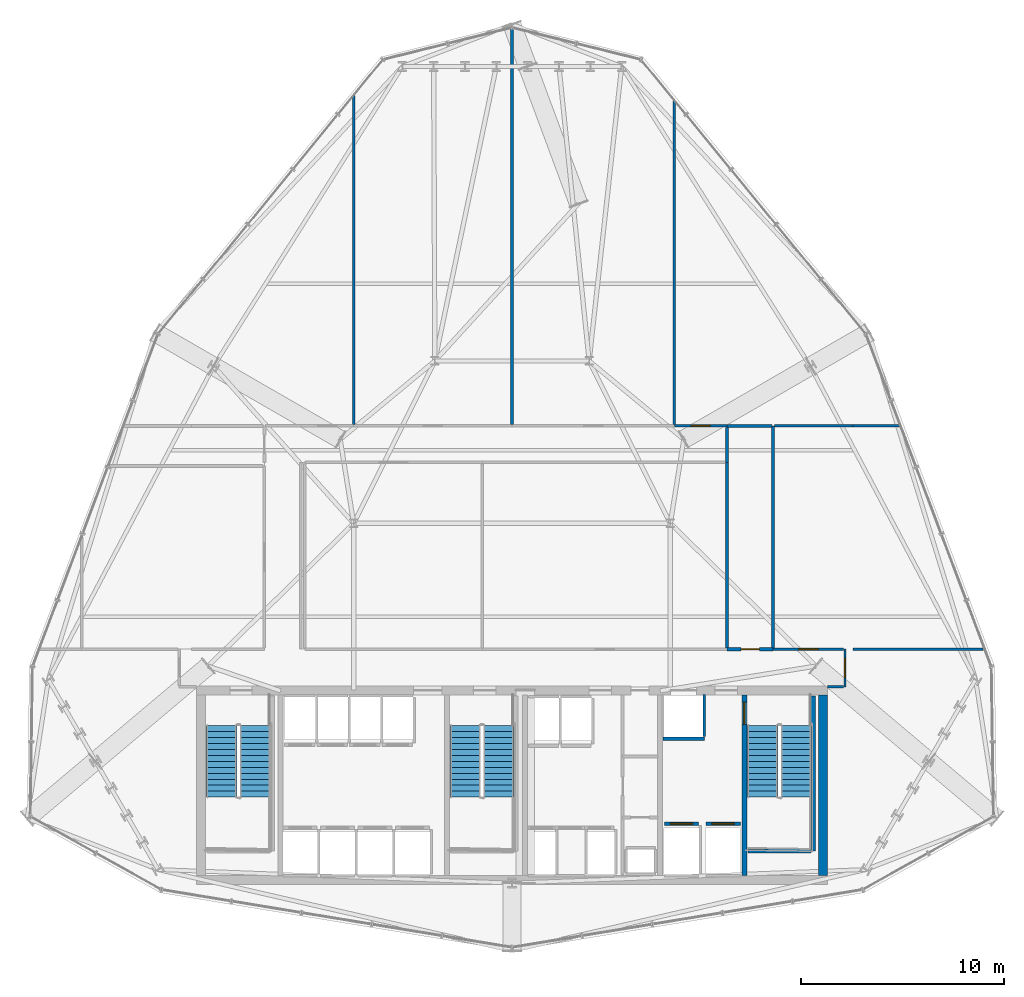
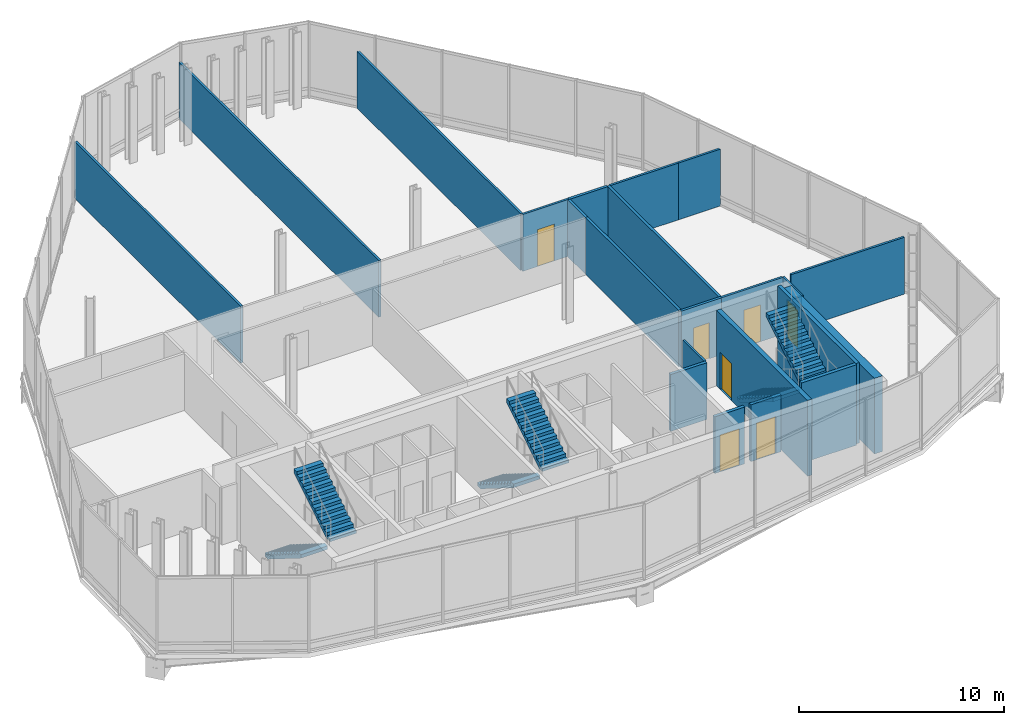
# One storey, part 23 of 26: 23 walls, 7 doors, 6 stair flights, 7 openings, 3 elements without a shape of their own.
"""IFC4 building model written with IfcOpenShell, lengths in metres."""

from ifc_helpers import new_model, si_unit, direction, frame, frame_2d, origin, place, context, subcontext, project, spatial, polyline, rectangle, outline, extrude, material, layer, layer_set, type_object, element, fill, aggregate, save


model = new_model("IFC4")

# Units and contexts
model_context = context("Model", 3, precision=1e-05, world=origin(), true_north=direction((0.0, 1.0)))
body_context = subcontext(model_context, "Body", "Model", "MODEL_VIEW")
ifc_project = project(units=[si_unit("LENGTHUNIT", "METRE"), si_unit("AREAUNIT", "SQUARE_METRE"), si_unit("VOLUMEUNIT", "CUBIC_METRE"), si_unit("PLANEANGLEUNIT", "RADIAN"), si_unit("MASSUNIT", "GRAM", prefix="KILO")], contexts=[model_context])

# Site, building, storey
site_placement = place(None, origin())
site = spatial("IfcSite", under=ifc_project, at=site_placement, CompositionType="ELEMENT")
building_placement = place(site_placement, origin())
building = spatial("IfcBuilding", under=site, at=building_placement, Name="Ndaravel Arena Tower", CompositionType="ELEMENT")
storey_placement = place(building_placement, frame((0.0, 0.0, 117.39990234375)))
storey = spatial("IfcBuildingStorey", under=building, at=storey_placement, Name="L27", CompositionType="ELEMENT", Elevation=117.39990234375)

# Wall, opening, door
ifc_material_1 = material(Name="Concrete C60/75", Category="concrete")
ifc_layer_1 = layer(ifc_material_1, 0.25)
ifc_layer_set_1 = layer_set([ifc_layer_1], Name="Concrete C60/75")
wall_type_1 = type_object("IfcWallType", Name="WALL-CORE-250", PredefinedType="SOLIDWALL", material=ifc_layer_set_1)
wall_1_placement = place(storey_placement, frame((53.449951171875, 5.85009765625, 0.0), z_axis=(0.0, 0.0, 1.0), x_axis=(0.0, 1.0, 0.0)))
wall_1 = element("IfcWall", 1, at=wall_1_placement, inside=storey, type_object=wall_type_1, Name="L27 Core Web Shear Wall 5", PredefinedType="SOLIDWALL", context=body_context, shape_type="SweptSolid", body=[
    extrude(rectangle(XDim=8.89990234375, YDim=0.25, at=frame_2d((4.449951171875, 0.0))), origin(), (0.0, 0.0, 1.0), 4.52001953125),
])
opening_1_placement = place(wall_1_placement, frame((7.449951171875, 0.0, 0.0)))
opening_1 = element("IfcOpeningElement", 2, at=opening_1_placement, cuts=wall_1, Name="Opening FD-01", PredefinedType="OPENING", context=body_context, shape_type="SweptSolid", body=[
    extrude(rectangle(XDim=1.10009765625, YDim=2.199951171875, at=frame_2d((0.550048828125, 1.10009765625))), frame((0.0, 0.125, 0.0), z_axis=(0.0, -1.0, 0.0), x_axis=(1.0, 0.0, 0.0)), (0.0, 0.0, 1.0), 0.25),
])
ifc_material_2 = material(Name="Steel S355", Category="steel")
door_type_1 = type_object("IfcDoorType", Name="DT-01-STAIR-1100", OperationType="SINGLE_SWING_LEFT", PredefinedType="DOOR", material=ifc_material_2)
door_1_placement = place(opening_1_placement, origin())
door_1 = element("IfcDoor", 3, at=door_1_placement, inside=storey, type_object=door_type_1, Name="L27 Firefighting Lobby to ST-3 Door", OperationType="SINGLE_SWING_LEFT", OverallHeight=2.199951171875, OverallWidth=1.10009765625, PredefinedType="DOOR", context=body_context, shape_type="SweptSolid", body=[
    extrude(rectangle(XDim=1.10009765625, YDim=2.199951171875, at=frame_2d((0.550048828125, 1.10009765625))), frame((0.0, 0.02490234375, 0.0), z_axis=(0.0, -1.0, 0.0), x_axis=(1.0, 0.0, 0.0)), (0.0, 0.0, 1.0), 0.050048828125),
])
fill(opening_1, door_1)

# Wall
ifc_material_3 = material(Name="Concrete C60/75", Category="concrete")
ifc_layer_2 = layer(ifc_material_3, 0.449951171875)
ifc_layer_set_2 = layer_set([ifc_layer_2], Name="Concrete C60/75")
wall_type_2 = type_object("IfcWallType", Name="WALL-CORE-450", PredefinedType="SOLIDWALL", material=ifc_layer_set_2)
wall_2_placement = place(storey_placement, frame((57.324951171875, 5.85009765625, 0.0), z_axis=(0.0, 0.0, 1.0), x_axis=(0.0, 1.0, 0.0)))
element("IfcWall", 4, at=wall_2_placement, inside=storey, type_object=wall_type_2, Name="L27 Core East Shear Wall", PredefinedType="SOLIDWALL", context=body_context, shape_type="SweptSolid", body=[
    extrude(rectangle(XDim=8.89990234375, YDim=0.449951171875, at=frame_2d((4.449951171875, 0.0))), origin(), (0.0, 0.0, 1.0), 4.52001953125),
])

# Wall, opening, door
ifc_material_4 = material(Name="Timber", Category="wood")
ifc_layer_3 = layer(ifc_material_4, 0.10009765625)
ifc_layer_set_3 = layer_set([ifc_layer_3], Name="Timber")
wall_type_3 = type_object("IfcWallType", Name="WALL-MOVABLE-100", PredefinedType="MOVABLE", material=ifc_layer_set_3)
wall_3_placement = place(storey_placement, frame((58.39990234375, 17.0, 0.0), z_axis=(0.0, 0.0, 1.0), x_axis=(0.0, -1.0, 0.0)))
wall_3 = element("IfcWall", 5, at=wall_3_placement, inside=storey, type_object=wall_type_3, Name="L27 Interior Partition 001", PredefinedType="MOVABLE", context=body_context, shape_type="SweptSolid", body=[
    extrude(rectangle(XDim=1.85009765625, YDim=0.10009765625, at=frame_2d((0.925048828125, 0.0))), origin(), (0.0, 0.0, 1.0), 3.39013671875),
])
opening_2_placement = place(wall_3_placement, frame((0.449951171875, 0.0, 0.0)))
opening_2 = element("IfcOpeningElement", 6, at=opening_2_placement, cuts=wall_3, Name="Opening ID-01", PredefinedType="OPENING", context=body_context, shape_type="SweptSolid", body=[
    extrude(rectangle(XDim=0.949951171875, YDim=2.199951171875, at=frame_2d((0.47509765625, 1.10009765625))), frame((0.0, 0.050048828125, 0.0), z_axis=(0.0, -1.0, 0.0), x_axis=(1.0, 0.0, 0.0)), (0.0, 0.0, 1.0), 0.10009765625),
])
ifc_material_5 = material(Name="Timber", Category="wood")
door_type_2 = type_object("IfcDoorType", Name="DT-03-OFFICE-950", OperationType="SINGLE_SWING_LEFT", PredefinedType="DOOR", material=ifc_material_5)
door_2_placement = place(opening_2_placement, origin())
door_2 = element("IfcDoor", 7, at=door_2_placement, inside=storey, type_object=door_type_2, Name="L27 Floor Security Control Room Door", OperationType="SINGLE_SWING_LEFT", OverallHeight=2.199951171875, OverallWidth=0.949951171875, PredefinedType="DOOR", context=body_context, shape_type="SweptSolid", body=[
    extrude(rectangle(XDim=0.949951171875, YDim=2.199951171875, at=frame_2d((0.47509765625, 1.10009765625))), frame((0.0, 0.02490234375, 0.0), z_axis=(0.0, -1.0, 0.0), x_axis=(1.0, 0.0, 0.0)), (0.0, 0.0, 1.0), 0.050048828125),
])
fill(opening_2, door_2)

# Wall
ifc_material_6 = material(Name="Gypsum", Category="gypsum")
ifc_layer_4 = layer(ifc_material_6, 0.125)
ifc_layer_set_4 = layer_set([ifc_layer_4], Name="Gypsum")
wall_type_4 = type_object("IfcWallType", Name="WALL-PART-125", PredefinedType="PARTITIONING", material=ifc_layer_set_4)
wall_4_placement = place(storey_placement, frame((58.3349609375, 15.14990234375, 0.0), z_axis=(0.0, 0.0, 1.0), x_axis=(-1.0, 0.0, 0.0)))
element("IfcWall", 8, at=wall_4_placement, inside=storey, type_object=wall_type_4, Name="L27 Interior Partition 002", PredefinedType="PARTITIONING", context=body_context, shape_type="SweptSolid", body=[
    extrude(rectangle(XDim=0.784912109375, YDim=0.125, at=frame_2d((0.392578125, 0.0))), origin(), (0.0, 0.0, 1.0), 3.39013671875),
])

# Wall, opening, door
wall_5_placement = place(storey_placement, frame((50.0, 28.0, 0.0), z_axis=(0.0, 0.0, 1.0), x_axis=(1.0, 0.0, 0.0)))
wall_5 = element("IfcWall", 9, at=wall_5_placement, inside=storey, type_object=wall_type_4, Name="L27 Interior Partition 012", PredefinedType="PARTITIONING", context=body_context, shape_type="SweptSolid", body=[
    extrude(rectangle(XDim=2.60009765625, YDim=0.125, at=frame_2d((1.300048828125, 0.0))), origin(), (0.0, 0.0, 1.0), 3.39013671875),
])
opening_3_placement = place(wall_5_placement, frame((0.824951171875, 0.0, 0.0)))
opening_3 = element("IfcOpeningElement", 10, at=opening_3_placement, cuts=wall_5, Name="Opening ID-01", PredefinedType="OPENING", context=body_context, shape_type="SweptSolid", body=[
    extrude(rectangle(XDim=0.949951171875, YDim=2.199951171875, at=frame_2d((0.47509765625, 1.10009765625))), frame((0.0, 0.0625, 0.0), z_axis=(0.0, -1.0, 0.0), x_axis=(1.0, 0.0, 0.0)), (0.0, 0.0, 1.0), 0.125),
])
door_3_placement = place(opening_3_placement, origin())
door_3 = element("IfcDoor", 11, at=door_3_placement, inside=storey, type_object=door_type_2, Name="L27 Tenant Mail & Post Room 2 Door", OperationType="SINGLE_SWING_RIGHT", OverallHeight=2.199951171875, OverallWidth=0.949951171875, PredefinedType="DOOR", context=body_context, shape_type="SweptSolid", body=[
    extrude(rectangle(XDim=0.949951171875, YDim=2.199951171875, at=frame_2d((0.47509765625, 1.10009765625))), frame((0.0, 0.02490234375, 0.0), z_axis=(0.0, -1.0, 0.0), x_axis=(1.0, 0.0, 0.0)), (0.0, 0.0, 1.0), 0.050048828125),
])
fill(opening_3, door_3)

wall_6_placement = place(storey_placement, frame((54.867919921875, 17.0, 0.0), z_axis=(0.0, 0.0, 1.0), x_axis=(1.0, 0.0, 0.0)))
wall_6 = element("IfcWall", 12, at=wall_6_placement, inside=storey, type_object=wall_type_4, Name="L27 Interior Partition 020", PredefinedType="PARTITIONING", context=body_context, shape_type="SweptSolid", body=[
    extrude(rectangle(XDim=3.467041015625, YDim=0.125, at=frame_2d((1.7333984375, 0.0))), origin(), (0.0, 0.0, 1.0), 3.39013671875),
])
opening_4_placement = place(wall_6_placement, frame((1.258544921875, 0.0, 0.0)))
opening_4 = element("IfcOpeningElement", 13, at=opening_4_placement, cuts=wall_6, Name="Opening ID-01", PredefinedType="OPENING", context=body_context, shape_type="SweptSolid", body=[
    extrude(rectangle(XDim=0.949951171875, YDim=2.199951171875, at=frame_2d((0.47509765625, 1.10009765625))), frame((0.0, 0.0625, 0.0), z_axis=(0.0, -1.0, 0.0), x_axis=(1.0, 0.0, 0.0)), (0.0, 0.0, 1.0), 0.125),
])
door_4_placement = place(opening_4_placement, origin())
door_4 = element("IfcDoor", 14, at=door_4_placement, inside=storey, type_object=door_type_2, Name="L27 Advisory Desk Office 3 Door", OperationType="SINGLE_SWING_LEFT", OverallHeight=2.199951171875, OverallWidth=0.949951171875, PredefinedType="DOOR", context=body_context, shape_type="SweptSolid", body=[
    extrude(rectangle(XDim=0.949951171875, YDim=2.199951171875, at=frame_2d((0.47509765625, 1.10009765625))), frame((0.0, 0.02490234375, 0.0), z_axis=(0.0, -1.0, 0.0), x_axis=(1.0, 0.0, 0.0)), (0.0, 0.0, 1.0), 0.050048828125),
])
fill(opening_4, door_4)

# Walls
wall_7_placement = place(storey_placement, frame((58.800048828125, 17.0, 0.0), z_axis=(0.0, 0.0, 1.0), x_axis=(1.0, 0.0, 0.0)))
element("IfcWall", 15, at=wall_7_placement, inside=storey, type_object=wall_type_4, Name="L27 Interior Partition 023", PredefinedType="PARTITIONING", context=body_context, shape_type="SweptSolid", body=[
    extrude(rectangle(XDim=6.39990234375, YDim=0.125, at=frame_2d((3.199951171875, 0.0))), origin(), (0.0, 0.0, 1.0), 3.39013671875),
])
wall_8_placement = place(storey_placement, frame((58.800048828125, 28.0, 0.0), z_axis=(0.0, 0.0, 1.0), x_axis=(1.0, 0.0, 0.0)))
element("IfcWall", 16, at=wall_8_placement, inside=storey, type_object=wall_type_4, Name="L27 Interior Partition 029", PredefinedType="PARTITIONING", context=body_context, shape_type="SweptSolid", body=[
    extrude(rectangle(XDim=2.346923828125, YDim=0.125, at=frame_2d((1.17333984375, 0.0))), origin(), (0.0, 0.0, 1.0), 3.39013671875),
])
wall_9_placement = place(storey_placement, frame((54.93310546875, 28.0, 0.0), z_axis=(0.0, 0.0, 1.0), x_axis=(1.0, 0.0, 0.0)))
element("IfcWall", 17, at=wall_9_placement, inside=storey, type_object=wall_type_4, Name="L27 Interior Partition 031", PredefinedType="PARTITIONING", context=body_context, shape_type="SweptSolid", body=[
    extrude(rectangle(XDim=3.866943359375, YDim=0.125, at=frame_2d((1.93359375, 0.0))), origin(), (0.0, 0.0, 1.0), 3.39013671875),
])
wall_10_placement = place(storey_placement, frame((50.0, 28.06494140625, 0.0), z_axis=(0.0, 0.0, 1.0), x_axis=(0.0, 1.0, 0.0)))
element("IfcWall", 18, at=wall_10_placement, inside=storey, type_object=wall_type_4, Name="L27 Interior Partition 035", PredefinedType="PARTITIONING", context=body_context, shape_type="SweptSolid", body=[
    extrude(rectangle(XDim=15.976318359375, YDim=0.125, at=frame_2d((7.98828125, 0.0))), origin(), (0.0, 0.0, 1.0), 3.39013671875),
])
wall_11_placement = place(storey_placement, frame((34.199951171875, 44.28515625, 0.0), z_axis=(0.0, 0.0, 1.0), x_axis=(0.0, -1.0, 0.0)))
element("IfcWall", 19, at=wall_11_placement, inside=storey, type_object=wall_type_4, Name="L27 Interior Partition 036", PredefinedType="PARTITIONING", context=body_context, shape_type="SweptSolid", body=[
    extrude(rectangle(XDim=16.22021484375, YDim=0.125, at=frame_2d((8.110107421875, 0.0))), origin(), (0.0, 0.0, 1.0), 3.39013671875),
])
wall_12_placement = place(storey_placement, frame((42.0, 28.06494140625, 0.0), z_axis=(0.0, 0.0, 1.0), x_axis=(0.0, 1.0, 0.0)))
element("IfcWall", 20, at=wall_12_placement, inside=storey, type_object=wall_type_4, Name="L27 Interior Partition 037", PredefinedType="PARTITIONING", context=body_context, shape_type="SweptSolid", body=[
    extrude(rectangle(XDim=19.55419921875, YDim=0.125, at=frame_2d((9.777099609375, 0.0))), origin(), (0.0, 0.0, 1.0), 3.39013671875),
])
ifc_material_7 = material(Name="Concrete C40/50", Category="concrete")
ifc_layer_5 = layer(ifc_material_7, 0.1201171875)
ifc_layer_set_5 = layer_set([ifc_layer_5], Name="Concrete C40/50")
wall_type_5 = type_object("IfcWallType", Name="WALL-SHAFT-120", PredefinedType="SOLIDWALL", material=ifc_layer_set_5)
wall_13_placement = place(storey_placement, frame((51.47998046875, 12.68994140625, 0.0), z_axis=(0.0, 0.0, 1.0), x_axis=(0.0, 1.0, 0.0)))
element("IfcWall", 21, at=wall_13_placement, inside=storey, type_object=wall_type_5, Name="L27 SVL-1 Shaft E Wall", PredefinedType="SOLIDWALL", context=body_context, shape_type="SweptSolid", body=[
    extrude(rectangle(XDim=2.070068359375, YDim=0.1201171875, at=frame_2d((1.03515625, 0.0))), origin(), (0.0, 0.0, 1.0), 3.39013671875),
])
ifc_material_8 = material(Name="Concrete C40/50", Category="concrete")
ifc_layer_6 = layer(ifc_material_8, 0.199951171875)
ifc_layer_set_6 = layer_set([ifc_layer_6], Name="Concrete C40/50")
wall_type_6 = type_object("IfcWallType", Name="WALL-SHAFT-200", PredefinedType="SOLIDWALL", material=ifc_layer_set_6)
wall_14_placement = place(storey_placement, frame((56.840087890625, 14.699951171875, 0.0), z_axis=(0.0, 0.0, 1.0), x_axis=(0.0, -1.0, 0.0)))
element("IfcWall", 22, at=wall_14_placement, inside=storey, type_object=wall_type_6, Name="L27 ST-3 Structural Shaft Wall Right", PredefinedType="SOLIDWALL", context=body_context, shape_type="SweptSolid", body=[
    extrude(rectangle(XDim=7.64990234375, YDim=0.199951171875, at=frame_2d((3.824951171875, 0.0))), origin(), (0.0, 0.0, 1.0), 4.800048828125),
])
wall_15_placement = place(storey_placement, frame((53.6201171875, 7.050048828125, 0.0), z_axis=(0.0, 0.0, 1.0), x_axis=(1.0, 0.0, 0.0)))
element("IfcWall", 23, at=wall_15_placement, inside=storey, type_object=wall_type_6, Name="L27 ST-3 Structural Shaft Wall Far", PredefinedType="SOLIDWALL", context=body_context, shape_type="SweptSolid", body=[
    extrude(rectangle(XDim=3.114990234375, YDim=0.199951171875, at=frame_2d((1.5576171875, 0.0))), origin(), (0.0, 0.0, 1.0), 4.800048828125),
])

# Wall, opening, door
wall_16_placement = place(storey_placement, frame((49.5048828125, 8.39990234375, 0.0), z_axis=(0.0, 0.0, 1.0), x_axis=(1.0, 0.0, 0.0)))
wall_16 = element("IfcWall", 24, at=wall_16_placement, inside=storey, type_object=wall_type_6, Name="L27 FFL-1 Shaft Landing Wall", PredefinedType="SOLIDWALL", context=body_context, shape_type="SweptSolid", body=[
    extrude(rectangle(XDim=1.690185546875, YDim=0.179931640625, at=frame_2d((0.84521484375, 0.0))), origin(), (0.0, 0.0, 1.0), 3.39013671875),
])
opening_5_placement = place(wall_16_placement, frame((0.294921875, 0.0, 0.0)))
opening_5 = element("IfcOpeningElement", 25, at=opening_5_placement, cuts=wall_16, Name="Opening LD-01", PredefinedType="OPENING", context=body_context, shape_type="SweptSolid", body=[
    extrude(rectangle(XDim=1.10009765625, YDim=2.199951171875, at=frame_2d((0.550048828125, 1.10009765625))), frame((0.0, 0.08984375, 0.0), z_axis=(0.0, -1.0, 0.0), x_axis=(1.0, 0.0, 0.0)), (0.0, 0.0, 1.0), 0.179931640625),
])
ifc_material_9 = material(Name="Steel S355", Category="steel")
door_type_3 = type_object("IfcDoorType", Name="DT-06-LIFT-1100", OperationType="SLIDING_TO_LEFT", PredefinedType="DOOR", material=ifc_material_9)
door_5_placement = place(opening_5_placement, origin())
door_5 = element("IfcDoor", 26, at=door_5_placement, inside=storey, type_object=door_type_3, Name="L27 Lift FFL-1 Sliding Landing Door", OperationType="SLIDING_TO_LEFT", OverallHeight=2.199951171875, OverallWidth=1.10009765625, PredefinedType="DOOR", context=body_context, shape_type="SweptSolid", body=[
    extrude(rectangle(XDim=1.10009765625, YDim=2.199951171875, at=frame_2d((0.550048828125, 1.10009765625))), frame((0.0, 0.02490234375, 0.0), z_axis=(0.0, -1.0, 0.0), x_axis=(1.0, 0.0, 0.0)), (0.0, 0.0, 1.0), 0.050048828125),
])
fill(opening_5, door_5)

wall_17_placement = place(storey_placement, frame((51.554931640625, 8.39990234375, 0.0), z_axis=(0.0, 0.0, 1.0), x_axis=(1.0, 0.0, 0.0)))
wall_17 = element("IfcWall", 27, at=wall_17_placement, inside=storey, type_object=wall_type_6, Name="L27 FFL-2 Shaft Landing Wall", PredefinedType="SOLIDWALL", context=body_context, shape_type="SweptSolid", body=[
    extrude(rectangle(XDim=1.690185546875, YDim=0.179931640625, at=frame_2d((0.84521484375, 0.0))), origin(), (0.0, 0.0, 1.0), 3.39013671875),
])
opening_6_placement = place(wall_17_placement, frame((0.294921875, 0.0, 0.0)))
opening_6 = element("IfcOpeningElement", 28, at=opening_6_placement, cuts=wall_17, Name="Opening LD-01", PredefinedType="OPENING", context=body_context, shape_type="SweptSolid", body=[
    extrude(rectangle(XDim=1.10009765625, YDim=2.199951171875, at=frame_2d((0.550048828125, 1.10009765625))), frame((0.0, 0.08984375, 0.0), z_axis=(0.0, -1.0, 0.0), x_axis=(1.0, 0.0, 0.0)), (0.0, 0.0, 1.0), 0.179931640625),
])
door_6_placement = place(opening_6_placement, origin())
door_6 = element("IfcDoor", 29, at=door_6_placement, inside=storey, type_object=door_type_3, Name="L27 Lift FFL-2 Sliding Landing Door", OperationType="SLIDING_TO_LEFT", OverallHeight=2.199951171875, OverallWidth=1.10009765625, PredefinedType="DOOR", context=body_context, shape_type="SweptSolid", body=[
    extrude(rectangle(XDim=1.10009765625, YDim=2.199951171875, at=frame_2d((0.550048828125, 1.10009765625))), frame((0.0, 0.02490234375, 0.0), z_axis=(0.0, -1.0, 0.0), x_axis=(1.0, 0.0, 0.0)), (0.0, 0.0, 1.0), 0.050048828125),
])
fill(opening_6, door_6)

# Walls
wall_18_placement = place(storey_placement, frame((49.43994140625, 12.594970703125, 0.0), z_axis=(0.0, 0.0, 1.0), x_axis=(1.0, 0.0, 0.0)))
element("IfcWall", 30, at=wall_18_placement, inside=storey, type_object=wall_type_6, Name="L27 SVL-1 Shaft South Wall", PredefinedType="SOLIDWALL", context=body_context, shape_type="SweptSolid", body=[
    extrude(rectangle(XDim=2.0400390625, YDim=0.179931640625, at=frame_2d((1.02001953125, 0.0))), origin(), (0.0, 0.0, 1.0), 3.39013671875),
])
ifc_material_10 = material(Name="Masonry", Category="masonry")
ifc_layer_7 = layer(ifc_material_10, 0.14990234375)
ifc_layer_set_7 = layer_set([ifc_layer_7], Name="Masonry")
wall_type_7 = type_object("IfcWallType", Name="WALL-WET-150", PredefinedType="PARTITIONING", material=ifc_layer_set_7)
wall_19_placement = place(storey_placement, frame((52.60009765625, 27.93505859375, 0.0), z_axis=(0.0, 0.0, 1.0), x_axis=(0.0, -1.0, 0.0)))
element("IfcWall", 31, at=wall_19_placement, inside=storey, type_object=wall_type_7, Name="L27 Interior Partition 013", PredefinedType="PARTITIONING", context=body_context, shape_type="SweptSolid", body=[
    extrude(rectangle(XDim=1.735107421875, YDim=0.14990234375, at=frame_2d((0.86767578125, 0.0))), origin(), (0.0, 0.0, 1.0), 3.39013671875),
])

# Wall, opening, door
wall_20_placement = place(storey_placement, frame((52.60009765625, 17.0, 0.0), z_axis=(0.0, 0.0, 1.0), x_axis=(1.0, 0.0, 0.0)))
wall_20 = element("IfcWall", 32, at=wall_20_placement, inside=storey, type_object=wall_type_7, Name="L27 Interior Partition 019", PredefinedType="PARTITIONING", context=body_context, shape_type="SweptSolid", body=[
    extrude(rectangle(XDim=2.267822265625, YDim=0.14990234375, at=frame_2d((1.1337890625, 0.0))), origin(), (0.0, 0.0, 1.0), 3.39013671875),
])
opening_7_placement = place(wall_20_placement, frame((0.68408203125, 0.0, 0.0)))
opening_7 = element("IfcOpeningElement", 33, at=opening_7_placement, cuts=wall_20, Name="Opening WD-01", PredefinedType="OPENING", context=body_context, shape_type="SweptSolid", body=[
    extrude(rectangle(XDim=0.89990234375, YDim=2.14990234375, at=frame_2d((0.449951171875, 1.074951171875))), frame((0.0, 0.074951171875, 0.0), z_axis=(0.0, -1.0, 0.0), x_axis=(1.0, 0.0, 0.0)), (0.0, 0.0, 1.0), 0.14990234375),
])
ifc_material_11 = material(Name="Timber", Category="wood")
door_type_4 = type_object("IfcDoorType", Name="DT-05-WC-900", OperationType="SINGLE_SWING_LEFT", PredefinedType="DOOR", material=ifc_material_11)
door_7_placement = place(opening_7_placement, origin())
door_7 = element("IfcDoor", 34, at=door_7_placement, inside=storey, type_object=door_type_4, Name="L27 Male Staff & Visitor Restroom Door", OperationType="SINGLE_SWING_RIGHT", OverallHeight=2.14990234375, OverallWidth=0.89990234375, PredefinedType="DOOR", context=body_context, shape_type="SweptSolid", body=[
    extrude(rectangle(XDim=0.89990234375, YDim=2.14990234375, at=frame_2d((0.449951171875, 1.074951171875))), frame((0.0, 0.02490234375, 0.0), z_axis=(0.0, -1.0, 0.0), x_axis=(1.0, 0.0, 0.0)), (0.0, 0.0, 1.0), 0.050048828125),
])
fill(opening_7, door_7)

# Walls
wall_21_placement = place(storey_placement, frame((52.60009765625, 26.199951171875, 0.0), z_axis=(0.0, 0.0, 1.0), x_axis=(0.0, -1.0, 0.0)))
element("IfcWall", 35, at=wall_21_placement, inside=storey, type_object=wall_type_7, Name="L27 Interior Partition 028", PredefinedType="PARTITIONING", context=body_context, shape_type="SweptSolid", body=[
    extrude(rectangle(XDim=9.135009765625, YDim=0.14990234375, at=frame_2d((4.5673828125, 0.0))), origin(), (0.0, 0.0, 1.0), 3.39013671875),
])
wall_22_placement = place(storey_placement, frame((54.867919921875, 17.06494140625, 0.0), z_axis=(0.0, 0.0, 1.0), x_axis=(0.0, 1.0, 0.0)))
element("IfcWall", 36, at=wall_22_placement, inside=storey, type_object=wall_type_7, Name="L27 Interior Partition 030", PredefinedType="PARTITIONING", context=body_context, shape_type="SweptSolid", body=[
    extrude(rectangle(XDim=10.93505859375, YDim=0.14990234375, at=frame_2d((5.467529296875, 0.0))), origin(), (0.0, 0.0, 1.0), 3.39013671875),
])
wall_23_placement = place(storey_placement, frame((52.60009765625, 28.0, 0.0), z_axis=(0.0, 0.0, 1.0), x_axis=(1.0, 0.0, 0.0)))
element("IfcWall", 37, at=wall_23_placement, inside=storey, type_object=wall_type_7, Name="L27 Interior Partition 032", PredefinedType="PARTITIONING", context=body_context, shape_type="SweptSolid", body=[
    extrude(rectangle(XDim=2.202880859375, YDim=0.14990234375, at=frame_2d((1.1015625, 0.0))), origin(), (0.0, 0.0, 1.0), 3.39013671875),
])

# Stair, stair flights
ifc_material_12 = material(Name="Concrete C40/50", Category="concrete")
stair_type = type_object("IfcStairType", Name="STAIR-CORE-HT", PredefinedType="HALF_TURN_STAIR", material=ifc_material_12)
stair_1_placement = place(storey_placement, origin())
stair_1 = element("IfcStair", 38, at=stair_1_placement, inside=storey, type_object=stair_type, Name="L27 ST-1", PredefinedType="HALF_TURN_STAIR")
ifc_material_13 = material(Name="Concrete C40/50", Category="concrete")
stair_flight_type = type_object("IfcStairFlightType", Name="SFLIGHT-CORE-1680", PredefinedType="STRAIGHT", material=ifc_material_13)
stair_flight_1_placement = place(storey_placement, frame((27.699951171875, 13.25, 0.0), z_axis=(0.0, 0.0, 1.0), x_axis=(0.0, -1.0, 0.0)))
stair_flight_1 = element("IfcStairFlight", 39, at=stair_flight_1_placement, type_object=stair_flight_type, Name="ST-1 flight 1", NumberOfRisers=13, NumberOfTreads=12, PredefinedType="STRAIGHT", RiserHeight=0.184615385, TreadLength=0.295, context=body_context, shape_type="SweptSolid", body=[
    extrude(outline(polyline([(0.0, 0.0), (0.0, 0.1845703125), (0.294921875, 0.1845703125), (0.294921875, 0.369140625), (0.590087890625, 0.369140625), (0.590087890625, 0.553955078125), (0.885009765625, 0.553955078125), (0.885009765625, 0.738525390625), (1.179931640625, 0.738525390625), (1.179931640625, 0.923095703125), (1.47509765625, 0.923095703125), (1.47509765625, 1.107666015625), (1.77001953125, 1.107666015625), (1.77001953125, 1.292236328125), (2.06494140625, 1.292236328125), (2.06494140625, 1.476806640625), (2.360107421875, 1.476806640625), (2.360107421875, 1.66162109375), (2.655029296875, 1.66162109375), (2.655029296875, 1.84619140625), (2.949951171875, 1.84619140625), (2.949951171875, 2.03076171875), (3.2451171875, 2.03076171875), (3.2451171875, 2.21533203125), (3.5400390625, 2.21533203125), (3.5400390625, 2.39990234375), (3.5400390625, 2.003173828125), (0.339111328125, 0.0), (0.0, 0.0)])), frame((0.0, 0.75, 0.0), z_axis=(0.0, -1.0, 0.0), x_axis=(1.0, 0.0, 0.0)), (0.0, 0.0, 1.0), 1.5),
])
stair_flight_2_placement = place(storey_placement, frame((29.340087890625, 9.7099609375, 2.400146484375), z_axis=(0.0, 0.0, 1.0), x_axis=(0.0, 1.0, 0.0)))
stair_flight_2 = element("IfcStairFlight", 40, at=stair_flight_2_placement, type_object=stair_flight_type, Name="ST-1 flight 2", NumberOfRisers=13, NumberOfTreads=12, PredefinedType="STRAIGHT", RiserHeight=0.184615385, TreadLength=0.295, context=body_context, shape_type="SweptSolid", body=[
    extrude(outline(polyline([(0.0, 0.0), (0.0, 0.1845703125), (0.294921875, 0.1845703125), (0.294921875, 0.369140625), (0.590087890625, 0.369140625), (0.590087890625, 0.553955078125), (0.885009765625, 0.553955078125), (0.885009765625, 0.738525390625), (1.179931640625, 0.738525390625), (1.179931640625, 0.923095703125), (1.47509765625, 0.923095703125), (1.47509765625, 1.107666015625), (1.77001953125, 1.107666015625), (1.77001953125, 1.292236328125), (2.06494140625, 1.292236328125), (2.06494140625, 1.476806640625), (2.360107421875, 1.476806640625), (2.360107421875, 1.66162109375), (2.655029296875, 1.66162109375), (2.655029296875, 1.84619140625), (2.949951171875, 1.84619140625), (2.949951171875, 2.03076171875), (3.2451171875, 2.03076171875), (3.2451171875, 2.21533203125), (3.5400390625, 2.21533203125), (3.5400390625, 2.39990234375), (3.5400390625, 2.003173828125), (0.339111328125, 0.0), (0.0, 0.0)])), frame((0.0, 0.75, 0.0), z_axis=(0.0, -1.0, 0.0), x_axis=(1.0, 0.0, 0.0)), (0.0, 0.0, 1.0), 1.5),
])
aggregate(stair_1, [stair_flight_1, stair_flight_2])

stair_2_placement = place(storey_placement, origin())
stair_2 = element("IfcStair", 41, at=stair_2_placement, inside=storey, type_object=stair_type, Name="L27 ST-2", PredefinedType="HALF_TURN_STAIR")
stair_flight_3_placement = place(storey_placement, frame((39.699951171875, 13.25, 0.0), z_axis=(0.0, 0.0, 1.0), x_axis=(0.0, -1.0, 0.0)))
stair_flight_3 = element("IfcStairFlight", 42, at=stair_flight_3_placement, type_object=stair_flight_type, Name="ST-2 flight 1", NumberOfRisers=13, NumberOfTreads=12, PredefinedType="STRAIGHT", RiserHeight=0.184615385, TreadLength=0.295, context=body_context, shape_type="SweptSolid", body=[
    extrude(outline(polyline([(0.0, 0.0), (0.0, 0.1845703125), (0.294921875, 0.1845703125), (0.294921875, 0.369140625), (0.590087890625, 0.369140625), (0.590087890625, 0.553955078125), (0.885009765625, 0.553955078125), (0.885009765625, 0.738525390625), (1.179931640625, 0.738525390625), (1.179931640625, 0.923095703125), (1.47509765625, 0.923095703125), (1.47509765625, 1.107666015625), (1.77001953125, 1.107666015625), (1.77001953125, 1.292236328125), (2.06494140625, 1.292236328125), (2.06494140625, 1.476806640625), (2.360107421875, 1.476806640625), (2.360107421875, 1.66162109375), (2.655029296875, 1.66162109375), (2.655029296875, 1.84619140625), (2.949951171875, 1.84619140625), (2.949951171875, 2.03076171875), (3.2451171875, 2.03076171875), (3.2451171875, 2.21533203125), (3.5400390625, 2.21533203125), (3.5400390625, 2.39990234375), (3.5400390625, 2.003173828125), (0.339111328125, 0.0), (0.0, 0.0)])), frame((0.0, 0.75, 0.0), z_axis=(0.0, -1.0, 0.0), x_axis=(1.0, 0.0, 0.0)), (0.0, 0.0, 1.0), 1.5),
])
stair_flight_4_placement = place(storey_placement, frame((41.340087890625, 9.7099609375, 2.400146484375), z_axis=(0.0, 0.0, 1.0), x_axis=(0.0, 1.0, 0.0)))
stair_flight_4 = element("IfcStairFlight", 43, at=stair_flight_4_placement, type_object=stair_flight_type, Name="ST-2 flight 2", NumberOfRisers=13, NumberOfTreads=12, PredefinedType="STRAIGHT", RiserHeight=0.184615385, TreadLength=0.295, context=body_context, shape_type="SweptSolid", body=[
    extrude(outline(polyline([(0.0, 0.0), (0.0, 0.1845703125), (0.294921875, 0.1845703125), (0.294921875, 0.369140625), (0.590087890625, 0.369140625), (0.590087890625, 0.553955078125), (0.885009765625, 0.553955078125), (0.885009765625, 0.738525390625), (1.179931640625, 0.738525390625), (1.179931640625, 0.923095703125), (1.47509765625, 0.923095703125), (1.47509765625, 1.107666015625), (1.77001953125, 1.107666015625), (1.77001953125, 1.292236328125), (2.06494140625, 1.292236328125), (2.06494140625, 1.476806640625), (2.360107421875, 1.476806640625), (2.360107421875, 1.66162109375), (2.655029296875, 1.66162109375), (2.655029296875, 1.84619140625), (2.949951171875, 1.84619140625), (2.949951171875, 2.03076171875), (3.2451171875, 2.03076171875), (3.2451171875, 2.21533203125), (3.5400390625, 2.21533203125), (3.5400390625, 2.39990234375), (3.5400390625, 2.003173828125), (0.339111328125, 0.0), (0.0, 0.0)])), frame((0.0, 0.75, 0.0), z_axis=(0.0, -1.0, 0.0), x_axis=(1.0, 0.0, 0.0)), (0.0, 0.0, 1.0), 1.5),
])
aggregate(stair_2, [stair_flight_3, stair_flight_4])

stair_3_placement = place(storey_placement, origin())
stair_3 = element("IfcStair", 44, at=stair_3_placement, inside=storey, type_object=stair_type, Name="L27 ST-3", PredefinedType="HALF_TURN_STAIR")
stair_flight_5_placement = place(storey_placement, frame((54.35009765625, 13.25, 0.0), z_axis=(0.0, 0.0, 1.0), x_axis=(0.0, -1.0, 0.0)))
stair_flight_5 = element("IfcStairFlight", 45, at=stair_flight_5_placement, type_object=stair_flight_type, Name="ST-3 flight 1", NumberOfRisers=13, NumberOfTreads=12, PredefinedType="STRAIGHT", RiserHeight=0.184615385, TreadLength=0.295, context=body_context, shape_type="SweptSolid", body=[
    extrude(outline(polyline([(0.0, 0.0), (0.0, 0.1845703125), (0.294921875, 0.1845703125), (0.294921875, 0.369140625), (0.590087890625, 0.369140625), (0.590087890625, 0.553955078125), (0.885009765625, 0.553955078125), (0.885009765625, 0.738525390625), (1.179931640625, 0.738525390625), (1.179931640625, 0.923095703125), (1.47509765625, 0.923095703125), (1.47509765625, 1.107666015625), (1.77001953125, 1.107666015625), (1.77001953125, 1.292236328125), (2.06494140625, 1.292236328125), (2.06494140625, 1.476806640625), (2.360107421875, 1.476806640625), (2.360107421875, 1.66162109375), (2.655029296875, 1.66162109375), (2.655029296875, 1.84619140625), (2.949951171875, 1.84619140625), (2.949951171875, 2.03076171875), (3.2451171875, 2.03076171875), (3.2451171875, 2.21533203125), (3.5400390625, 2.21533203125), (3.5400390625, 2.39990234375), (3.5400390625, 2.003173828125), (0.339111328125, 0.0), (0.0, 0.0)])), frame((0.0, 0.75, 0.0), z_axis=(0.0, -1.0, 0.0), x_axis=(1.0, 0.0, 0.0)), (0.0, 0.0, 1.0), 1.5),
])
stair_flight_6_placement = place(storey_placement, frame((55.989990234375, 9.7099609375, 2.400146484375), z_axis=(0.0, 0.0, 1.0), x_axis=(0.0, 1.0, 0.0)))
stair_flight_6 = element("IfcStairFlight", 46, at=stair_flight_6_placement, type_object=stair_flight_type, Name="ST-3 flight 2", NumberOfRisers=13, NumberOfTreads=12, PredefinedType="STRAIGHT", RiserHeight=0.184615385, TreadLength=0.295, context=body_context, shape_type="SweptSolid", body=[
    extrude(outline(polyline([(0.0, 0.0), (0.0, 0.1845703125), (0.294921875, 0.1845703125), (0.294921875, 0.369140625), (0.590087890625, 0.369140625), (0.590087890625, 0.553955078125), (0.885009765625, 0.553955078125), (0.885009765625, 0.738525390625), (1.179931640625, 0.738525390625), (1.179931640625, 0.923095703125), (1.47509765625, 0.923095703125), (1.47509765625, 1.107666015625), (1.77001953125, 1.107666015625), (1.77001953125, 1.292236328125), (2.06494140625, 1.292236328125), (2.06494140625, 1.476806640625), (2.360107421875, 1.476806640625), (2.360107421875, 1.66162109375), (2.655029296875, 1.66162109375), (2.655029296875, 1.84619140625), (2.949951171875, 1.84619140625), (2.949951171875, 2.03076171875), (3.2451171875, 2.03076171875), (3.2451171875, 2.21533203125), (3.5400390625, 2.21533203125), (3.5400390625, 2.39990234375), (3.5400390625, 2.003173828125), (0.339111328125, 0.0), (0.0, 0.0)])), frame((0.0, 0.75, 0.0), z_axis=(0.0, -1.0, 0.0), x_axis=(1.0, 0.0, 0.0)), (0.0, 0.0, 1.0), 1.5),
])
aggregate(stair_3, [stair_flight_5, stair_flight_6])

save(model, "model.ifc")
